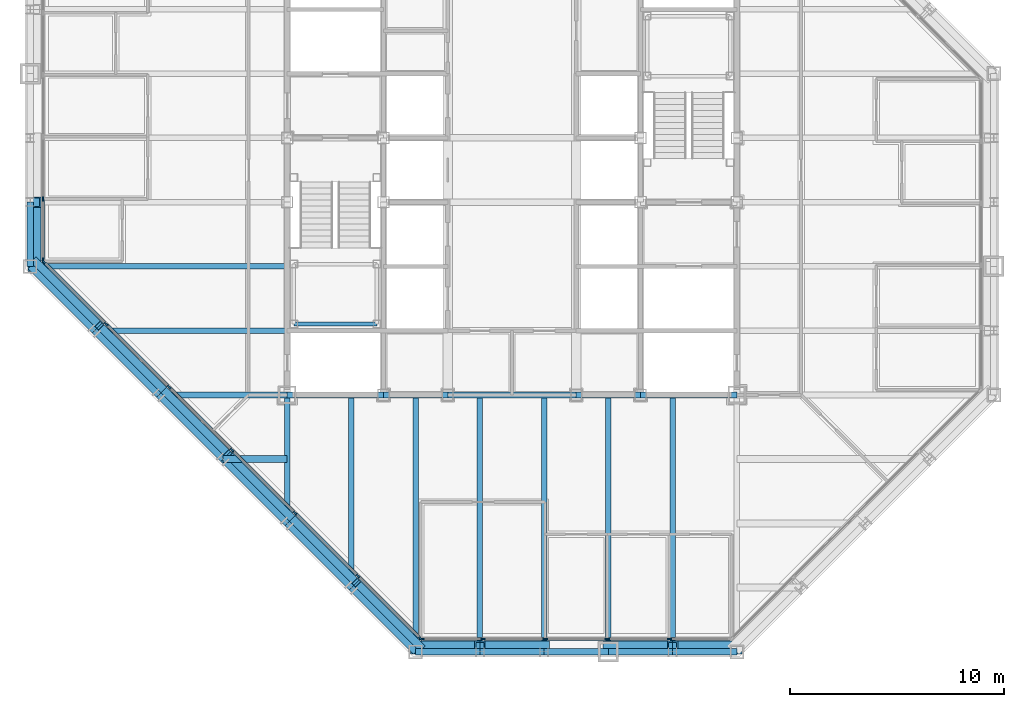
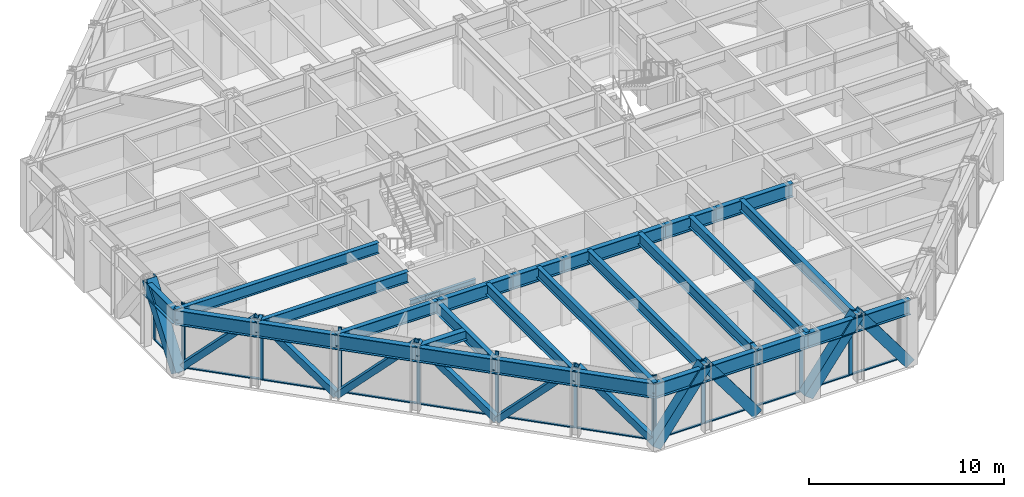
# One storey, part 5 of 16: 37 members, 29 beams, 3 elements without a shape of their own.
"""IFC4 building model written with IfcOpenShell, lengths in metres."""

from ifc_helpers import new_model, si_unit, direction, frame, origin, origin_2d, place, context, subcontext, project, spatial, rectangle, hollow_rectangle, i_section, extrude, material, layer, layer_set, material_profile, profile_set, type_object, element, aggregate, save


model = new_model("IFC4")

# Units and contexts
model_context = context("Model", 3, precision=1e-05, world=origin(), true_north=direction((0.0, 1.0)))
body_context = subcontext(model_context, "Body", "Model", "MODEL_VIEW")
ifc_project = project(units=[si_unit("LENGTHUNIT", "METRE"), si_unit("AREAUNIT", "SQUARE_METRE"), si_unit("VOLUMEUNIT", "CUBIC_METRE"), si_unit("PLANEANGLEUNIT", "RADIAN"), si_unit("MASSUNIT", "GRAM", prefix="KILO")], contexts=[model_context])

# Site, building, storey
site_placement = place(None, origin())
site = spatial("IfcSite", under=ifc_project, at=site_placement, CompositionType="ELEMENT")
building_placement = place(site_placement, origin())
building = spatial("IfcBuilding", under=site, at=building_placement, Name="Chuquiago Exchange Tower", CompositionType="ELEMENT")
storey_placement = place(building_placement, frame((0.0, 0.0, 226.5)))
storey = spatial("IfcBuildingStorey", under=building, at=storey_placement, Name="L50", CompositionType="ELEMENT", Elevation=226.5)

# Beams
ifc_material_1 = material(Name="Steel ASTM A992", Category="steel")
ifc_material_profile_1 = material_profile(ifc_material_1, i_section(OverallWidth=0.25390625, OverallDepth=0.683349609375, WebThickness=0.012451171875, FlangeThickness=0.018798828125, at=origin_2d()), Name="W27X94")
ifc_profile_set_1 = profile_set([ifc_material_profile_1], Name="Steel ASTM A992")
beam_type_1 = type_object("IfcBeamType", Name="B1 W27X94", PredefinedType="BEAM", material=ifc_profile_set_1)
beam_1_placement = place(storey_placement, frame((15.0, 12.0, 3.698486328125), z_axis=(0.0, -1.0, 0.0), x_axis=(1.0, 0.0, 0.0)))
element("IfcBeam", 1, at=beam_1_placement, inside=storey, type_object=beam_type_1, Name="FB-L51-infill-15_12-15_3-0", PredefinedType="BEAM", context=body_context, shape_type="SweptSolid", body=[
    extrude(i_section(OverallWidth=0.25390625, OverallDepth=0.683349609375, WebThickness=0.012451171875, FlangeThickness=0.018798828125, at=origin_2d()), origin(), (0.0, 0.0, 1.0), 9.0),
])
for number, where, z_axis, x_axis, name in (
    (2, (18.0, 12.0, 3.698486328125), (0.0, -1.0, 0.0), (1.0, 0.0, 0.0), "FB-L51-infill-18_12-18_-0-0"),
    (3, (21.0, 12.0, 3.698486328125), (0.0, -1.0, 0.0), (1.0, 0.0, 0.0), "FB-L51-infill-21_12-21_-0-0"),
    (4, (24.0, 12.0, 3.698486328125), (0.0, -1.0, 0.0), (1.0, 0.0, 0.0), "FB-L51-infill-24_12-24_-0-0"),
    (5, (27.0, 12.0, 3.698486328125), (0.0, -1.0, 0.0), (1.0, 0.0, 0.0), "FB-L51-infill-27_12-27_-0-0"),
    (6, (30.0, 12.0, 3.698486328125), (0.0, -1.0, 0.0), (1.0, 0.0, 0.0), "FB-L51-infill-30_12-30_-0-0"),
):
    element("IfcBeam", number, at=place(storey_placement, frame(where, z_axis=z_axis, x_axis=x_axis)), inside=storey, type_object=beam_type_1, Name=name, PredefinedType="BEAM", context=body_context, shape_type="SweptSolid", body=[
        extrude(i_section(OverallWidth=0.25390625, OverallDepth=0.683349609375, WebThickness=0.012451171875, FlangeThickness=0.018798828125, at=origin_2d()), origin(), (0.0, 0.0, 1.0), 12.0),
    ])
beam_2_placement = place(storey_placement, frame((12.0, 15.0, 3.698486328125), z_axis=(-1.0, 0.0, 0.0), x_axis=(0.0, -1.0, 0.0)))
element("IfcBeam", 7, at=beam_2_placement, inside=storey, type_object=beam_type_1, Name="FB-L51-infill-12_15-3_15-0", PredefinedType="BEAM", context=body_context, shape_type="SweptSolid", body=[
    extrude(i_section(OverallWidth=0.25390625, OverallDepth=0.683349609375, WebThickness=0.012451171875, FlangeThickness=0.018798828125, at=origin_2d()), origin(), (0.0, 0.0, 1.0), 9.0),
])
beam_3_placement = place(storey_placement, frame((12.0, 18.0, 3.698486328125), z_axis=(-1.0, 0.0, 0.0), x_axis=(0.0, -1.0, 0.0)))
element("IfcBeam", 8, at=beam_3_placement, inside=storey, type_object=beam_type_1, Name="FB-L51-infill-12_18--0_18-0", PredefinedType="BEAM", context=body_context, shape_type="SweptSolid", body=[
    extrude(i_section(OverallWidth=0.25390625, OverallDepth=0.683349609375, WebThickness=0.012451171875, FlangeThickness=0.018798828125, at=origin_2d()), origin(), (0.0, 0.0, 1.0), 12.0),
])
ifc_material_2 = material(Name="Steel ASTM A992", Category="steel")
ifc_material_profile_2 = material_profile(ifc_material_2, i_section(OverallWidth=0.3251953125, OverallDepth=0.612060546875, WebThickness=0.0126953125, FlangeThickness=0.01904296875, at=origin_2d()), Name="W24X104")
ifc_profile_set_2 = profile_set([ifc_material_profile_2], Name="Steel ASTM A992")
beam_type_2 = type_object("IfcBeamType", Name="B2 W24X104", PredefinedType="BEAM", material=ifc_profile_set_2)
beam_4_placement = place(storey_placement, frame((12.0, 9.0, 3.73388671875), z_axis=(-1.0, 0.0, 0.0), x_axis=(0.0, -1.0, 0.0)))
element("IfcBeam", 9, at=beam_4_placement, inside=storey, type_object=beam_type_2, Name="FB-L51-corner-12_9-9_9-0", PredefinedType="BEAM", context=body_context, shape_type="SweptSolid", body=[
    extrude(i_section(OverallWidth=0.3251953125, OverallDepth=0.612060546875, WebThickness=0.0126953125, FlangeThickness=0.01904296875, at=origin_2d()), origin(), (0.0, 0.0, 1.0), 3.0),
])
ifc_material_3 = material(Name="Steel ASTM A992", Category="steel")
ifc_material_profile_3 = material_profile(ifc_material_3, i_section(OverallWidth=0.2919921875, OverallDepth=0.8583984375, WebThickness=0.01708984375, FlangeThickness=0.031005859375, at=origin_2d()), Name="W33X169")
ifc_profile_set_3 = profile_set([ifc_material_profile_3], Name="Steel ASTM A992")
beam_type_3 = type_object("IfcBeamType", Name="B3 W33X169", PredefinedType="BEAM", material=ifc_profile_set_3)
beam_5_placement = place(storey_placement, frame((12.0, 12.0, 3.610595703125), z_axis=(1.0, 0.0, 0.0), x_axis=(0.0, 1.0, 0.0)))
element("IfcBeam", 10, at=beam_5_placement, inside=storey, type_object=beam_type_3, Name="CB-L51-12_12-16.5_12", PredefinedType="BEAM", context=body_context, shape_type="SweptSolid", body=[
    extrude(i_section(OverallWidth=0.2919921875, OverallDepth=0.8583984375, WebThickness=0.01708984375, FlangeThickness=0.031005859375, at=origin_2d()), origin(), (0.0, 0.0, 1.0), 4.5),
])
beam_6_placement = place(storey_placement, frame((16.5, 12.0, 3.610595703125), z_axis=(1.0, 0.0, 0.0), x_axis=(0.0, 1.0, 0.0)))
element("IfcBeam", 11, at=beam_6_placement, inside=storey, type_object=beam_type_3, Name="CB-L51-16.5_12-19.5_12", PredefinedType="BEAM", context=body_context, shape_type="SweptSolid", body=[
    extrude(i_section(OverallWidth=0.2919921875, OverallDepth=0.8583984375, WebThickness=0.01708984375, FlangeThickness=0.031005859375, at=origin_2d()), origin(), (0.0, 0.0, 1.0), 3.0),
])
beam_7_placement = place(storey_placement, frame((19.5, 12.0, 3.610595703125), z_axis=(1.0, 0.0, 0.0), x_axis=(0.0, 1.0, 0.0)))
element("IfcBeam", 12, at=beam_7_placement, inside=storey, type_object=beam_type_3, Name="CB-L51-19.5_12-25.5_12", PredefinedType="BEAM", context=body_context, shape_type="SweptSolid", body=[
    extrude(i_section(OverallWidth=0.2919921875, OverallDepth=0.8583984375, WebThickness=0.01708984375, FlangeThickness=0.031005859375, at=origin_2d()), origin(), (0.0, 0.0, 1.0), 6.0),
])
beam_8_placement = place(storey_placement, frame((25.5, 12.0, 3.610595703125), z_axis=(1.0, 0.0, 0.0), x_axis=(0.0, 1.0, 0.0)))
element("IfcBeam", 13, at=beam_8_placement, inside=storey, type_object=beam_type_3, Name="CB-L51-25.5_12-28.5_12", PredefinedType="BEAM", context=body_context, shape_type="SweptSolid", body=[
    extrude(i_section(OverallWidth=0.2919921875, OverallDepth=0.8583984375, WebThickness=0.01708984375, FlangeThickness=0.031005859375, at=origin_2d()), origin(), (0.0, 0.0, 1.0), 3.0),
])
beam_9_placement = place(storey_placement, frame((28.5, 12.0, 3.610595703125), z_axis=(1.0, 0.0, 0.0), x_axis=(0.0, 1.0, 0.0)))
element("IfcBeam", 14, at=beam_9_placement, inside=storey, type_object=beam_type_3, Name="CB-L51-28.5_12-33_12", PredefinedType="BEAM", context=body_context, shape_type="SweptSolid", body=[
    extrude(i_section(OverallWidth=0.2919921875, OverallDepth=0.8583984375, WebThickness=0.01708984375, FlangeThickness=0.031005859375, at=origin_2d()), origin(), (0.0, 0.0, 1.0), 4.5),
])

# Curtain wall, members
ifc_material_4 = material(Name="Aluminium curtain wall system", Category="aluminium")
ifc_layer_1 = layer(ifc_material_4, 0.22509765625)
ifc_layer_set_1 = layer_set([ifc_layer_1], Name="CW2 office curtain wall")
curtain_wall_type_1 = type_object("IfcCurtainWallType", Name="CW2 office curtain wall", PredefinedType="NOTDEFINED", material=ifc_layer_set_1)
curtain_wall_1_placement = place(storey_placement, origin())
curtain_wall_1 = element("IfcCurtainWall", 15, at=curtain_wall_1_placement, inside=storey, type_object=curtain_wall_type_1, Name="CW2 curtain wall L50", PredefinedType="NOTDEFINED")
ifc_material_5 = material(Name="Aluminium mullion, pale anodised", Category="aluminium")
ifc_material_profile_4 = material_profile(ifc_material_5, rectangle(XDim=0.06494140625, YDim=0.22509765625, at=origin_2d()), Name="AL 65x225")
ifc_profile_set_4 = profile_set([ifc_material_profile_4], Name="Aluminium mullion, pale anodised")
member_type_1 = type_object("IfcMemberType", Name="CW2-M mullion 65x225", PredefinedType="MULLION", material=ifc_profile_set_4)
member_1_placement = place(storey_placement, frame((18.281005859375, 0.60009765625, 0.0), z_axis=(0.0, 0.0, 1.0), x_axis=(0.0, 1.0, 0.0)))
member_1 = element("IfcMember", 16, at=member_1_placement, type_object=member_type_1, Name="CW2 mullion 1", PredefinedType="MULLION", context=body_context, shape_type="SweptSolid", body=[
    extrude(rectangle(XDim=0.06494140625, YDim=0.22509765625, at=origin_2d()), origin(), (0.0, 0.0, 1.0), 4.0400390625),
])
member_2_placement = place(storey_placement, frame((21.149169921875, 0.60009765625, 0.0), z_axis=(0.0, 0.0, 1.0), x_axis=(0.0, 1.0, 0.0)))
member_2 = element("IfcMember", 17, at=member_2_placement, type_object=member_type_1, Name="CW2 mullion 2", PredefinedType="MULLION", context=body_context, shape_type="SweptSolid", body=[
    extrude(rectangle(XDim=0.06494140625, YDim=0.22509765625, at=origin_2d()), origin(), (0.0, 0.0, 1.0), 4.0400390625),
])
member_3_placement = place(storey_placement, frame((24.0498046875, 0.60009765625, 0.0), z_axis=(0.0, 0.0, 1.0), x_axis=(0.0, 1.0, 0.0)))
member_3 = element("IfcMember", 18, at=member_3_placement, type_object=member_type_1, Name="CW2 mullion 3", PredefinedType="MULLION", context=body_context, shape_type="SweptSolid", body=[
    extrude(rectangle(XDim=0.06494140625, YDim=0.22509765625, at=origin_2d()), origin(), (0.0, 0.0, 1.0), 4.0400390625),
])
member_4_placement = place(storey_placement, frame((26.9501953125, 0.60009765625, 0.0), z_axis=(0.0, 0.0, 1.0), x_axis=(0.0, 1.0, 0.0)))
member_4 = element("IfcMember", 19, at=member_4_placement, type_object=member_type_1, Name="CW2 mullion 4", PredefinedType="MULLION", context=body_context, shape_type="SweptSolid", body=[
    extrude(rectangle(XDim=0.06494140625, YDim=0.22509765625, at=origin_2d()), origin(), (0.0, 0.0, 1.0), 4.0400390625),
])
member_5_placement = place(storey_placement, frame((29.850830078125, 0.60009765625, 0.0), z_axis=(0.0, 0.0, 1.0), x_axis=(0.0, 1.0, 0.0)))
member_5 = element("IfcMember", 20, at=member_5_placement, type_object=member_type_1, Name="CW2 mullion 5", PredefinedType="MULLION", context=body_context, shape_type="SweptSolid", body=[
    extrude(rectangle(XDim=0.06494140625, YDim=0.22509765625, at=origin_2d()), origin(), (0.0, 0.0, 1.0), 4.0400390625),
])

curtain_wall_2_placement = place(storey_placement, origin())
curtain_wall_2 = element("IfcCurtainWall", 21, at=curtain_wall_2_placement, inside=storey, type_object=curtain_wall_type_1, Name="CW2 curtain wall L50", PredefinedType="NOTDEFINED")
member_6_placement = place(storey_placement, frame((0.60009765625, 21.149169921875, 0.0), z_axis=(0.0, 0.0, 1.0), x_axis=(1.0, 0.0, 0.0)))
member_6 = element("IfcMember", 22, at=member_6_placement, type_object=member_type_1, Name="CW2 mullion 5", PredefinedType="MULLION", context=body_context, shape_type="SweptSolid", body=[
    extrude(rectangle(XDim=0.06494140625, YDim=0.22509765625, at=origin_2d()), origin(), (0.0, 0.0, 1.0), 4.0400390625),
])
member_7_placement = place(storey_placement, frame((0.60009765625, 18.281005859375, 0.0), z_axis=(0.0, 0.0, 1.0), x_axis=(1.0, 0.0, 0.0)))
member_7 = element("IfcMember", 23, at=member_7_placement, type_object=member_type_1, Name="CW2 mullion 6", PredefinedType="MULLION", context=body_context, shape_type="SweptSolid", body=[
    extrude(rectangle(XDim=0.06494140625, YDim=0.22509765625, at=origin_2d()), origin(), (0.0, 0.0, 1.0), 4.0400390625),
])

# Member
ifc_material_6 = material(Name="Aluminium transom, pale anodised", Category="aluminium")
ifc_material_profile_5 = material_profile(ifc_material_6, rectangle(XDim=0.139892578125, YDim=0.06494140625, at=origin_2d()), Name="AL 140x65")
ifc_profile_set_5 = profile_set([ifc_material_profile_5], Name="Aluminium transom, pale anodised")
member_type_2 = type_object("IfcMemberType", Name="CW2-T transom 65x140", PredefinedType="MULLION", material=ifc_profile_set_5)
member_8_placement = place(storey_placement, frame((18.3134765625, 0.60009765625, 0.032470703125), z_axis=(1.0, 0.0, 0.0), x_axis=(0.0, 1.0, 0.0)))
member_8 = element("IfcMember", 24, at=member_8_placement, type_object=member_type_2, Name="CW2 transom 1.1", PredefinedType="MULLION", context=body_context, shape_type="SweptSolid", body=[
    extrude(rectangle(XDim=0.139892578125, YDim=0.06494140625, at=origin_2d()), origin(), (0.0, 0.0, 1.0), 2.80322265625),
])

member_9_placement = place(storey_placement, frame((21.181640625, 0.60009765625, 0.032470703125), z_axis=(1.0, 0.0, 0.0), x_axis=(0.0, 1.0, 0.0)))
member_9 = element("IfcMember", 25, at=member_9_placement, type_object=member_type_2, Name="CW2 transom 2.1", PredefinedType="MULLION", context=body_context, shape_type="SweptSolid", body=[
    extrude(rectangle(XDim=0.139892578125, YDim=0.06494140625, at=origin_2d()), origin(), (0.0, 0.0, 1.0), 2.83544921875),
])

member_10_placement = place(storey_placement, frame((24.082275390625, 0.60009765625, 0.032470703125), z_axis=(1.0, 0.0, 0.0), x_axis=(0.0, 1.0, 0.0)))
member_10 = element("IfcMember", 26, at=member_10_placement, type_object=member_type_2, Name="CW2 transom 3.1", PredefinedType="MULLION", context=body_context, shape_type="SweptSolid", body=[
    extrude(rectangle(XDim=0.139892578125, YDim=0.06494140625, at=origin_2d()), origin(), (0.0, 0.0, 1.0), 2.83544921875),
])

member_11_placement = place(storey_placement, frame((26.98291015625, 0.60009765625, 0.032470703125), z_axis=(1.0, 0.0, 0.0), x_axis=(0.0, 1.0, 0.0)))
member_11 = element("IfcMember", 27, at=member_11_placement, type_object=member_type_2, Name="CW2 transom 4.1", PredefinedType="MULLION", context=body_context, shape_type="SweptSolid", body=[
    extrude(rectangle(XDim=0.139892578125, YDim=0.06494140625, at=origin_2d()), origin(), (0.0, 0.0, 1.0), 2.83544921875),
])

member_12_placement = place(storey_placement, frame((29.88330078125, 0.60009765625, 0.032470703125), z_axis=(1.0, 0.0, 0.0), x_axis=(0.0, 1.0, 0.0)))
member_12 = element("IfcMember", 28, at=member_12_placement, type_object=member_type_2, Name="CW2 transom 5.1", PredefinedType="MULLION", context=body_context, shape_type="SweptSolid", body=[
    extrude(rectangle(XDim=0.139892578125, YDim=0.06494140625, at=origin_2d()), origin(), (0.0, 0.0, 1.0), 2.80322265625),
])

aggregate(curtain_wall_1, [member_1, member_2, member_3, member_4, member_5, member_8, member_9, member_10, member_11, member_12])

member_13_placement = place(storey_placement, frame((0.60009765625, 21.11669921875, 0.032470703125), z_axis=(0.0, -1.0, 0.0), x_axis=(1.0, 0.0, 0.0)))
member_13 = element("IfcMember", 29, at=member_13_placement, type_object=member_type_2, Name="CW2 transom 5.1", PredefinedType="MULLION", context=body_context, shape_type="SweptSolid", body=[
    extrude(rectangle(XDim=0.139892578125, YDim=0.06494140625, at=origin_2d()), origin(), (0.0, 0.0, 1.0), 2.80322265625),
])

aggregate(curtain_wall_2, [member_6, member_7, member_13])

# Curtain wall, members
ifc_material_7 = material(Name="Aluminium curtain wall system", Category="aluminium")
ifc_layer_2 = layer(ifc_material_7, 0.199951171875)
ifc_layer_set_2 = layer_set([ifc_layer_2], Name="CW3 facet curtain wall")
curtain_wall_type_2 = type_object("IfcCurtainWallType", Name="CW3 facet curtain wall", PredefinedType="NOTDEFINED", material=ifc_layer_set_2)
curtain_wall_3_placement = place(storey_placement, origin())
curtain_wall_3 = element("IfcCurtainWall", 30, at=curtain_wall_3_placement, inside=storey, type_object=curtain_wall_type_2, Name="CW3 curtain wall L50", PredefinedType="NOTDEFINED")
ifc_material_8 = material(Name="Aluminium mullion, pale anodised", Category="aluminium")
ifc_material_profile_6 = material_profile(ifc_material_8, rectangle(XDim=0.06494140625, YDim=0.199951171875, at=origin_2d()), Name="AL 65x200")
ifc_profile_set_6 = profile_set([ifc_material_profile_6], Name="Aluminium mullion, pale anodised")
member_type_3 = type_object("IfcMemberType", Name="CW3-M mullion 65x200", PredefinedType="MULLION", material=ifc_profile_set_6)
member_14_placement = place(storey_placement, frame((0.623046875, 18.2255859375, 0.0), z_axis=(0.0, 0.0, 1.0), x_axis=(0.707106781187, 0.707106781187, 0.0)))
member_14 = element("IfcMember", 31, at=member_14_placement, type_object=member_type_3, Name="CW3 mullion 1", PredefinedType="MULLION", context=body_context, shape_type="SweptSolid", body=[
    extrude(rectangle(XDim=0.06494140625, YDim=0.199951171875, at=origin_2d()), origin(), (0.0, 0.0, 1.0), 4.0400390625),
])
member_15_placement = place(storey_placement, frame((3.54150390625, 15.30712890625, 0.0), z_axis=(0.0, 0.0, 1.0), x_axis=(0.707106781187, 0.707106781187, 0.0)))
member_15 = element("IfcMember", 32, at=member_15_placement, type_object=member_type_3, Name="CW3 mullion 2", PredefinedType="MULLION", context=body_context, shape_type="SweptSolid", body=[
    extrude(rectangle(XDim=0.06494140625, YDim=0.199951171875, at=origin_2d()), origin(), (0.0, 0.0, 1.0), 4.0400390625),
])
member_16_placement = place(storey_placement, frame((6.48291015625, 12.36572265625, 0.0), z_axis=(0.0, 0.0, 1.0), x_axis=(0.707106781187, 0.707106781187, 0.0)))
member_16 = element("IfcMember", 33, at=member_16_placement, type_object=member_type_3, Name="CW3 mullion 3", PredefinedType="MULLION", context=body_context, shape_type="SweptSolid", body=[
    extrude(rectangle(XDim=0.06494140625, YDim=0.199951171875, at=origin_2d()), origin(), (0.0, 0.0, 1.0), 4.0400390625),
])
member_17_placement = place(storey_placement, frame((9.42431640625, 9.42431640625, 0.0), z_axis=(0.0, 0.0, 1.0), x_axis=(0.707106781187, 0.707106781187, 0.0)))
member_17 = element("IfcMember", 34, at=member_17_placement, type_object=member_type_3, Name="CW3 mullion 4", PredefinedType="MULLION", context=body_context, shape_type="SweptSolid", body=[
    extrude(rectangle(XDim=0.06494140625, YDim=0.199951171875, at=origin_2d()), origin(), (0.0, 0.0, 1.0), 4.0400390625),
])
member_18_placement = place(storey_placement, frame((12.36572265625, 6.48291015625, 0.0), z_axis=(0.0, 0.0, 1.0), x_axis=(0.707106781187, 0.707106781187, 0.0)))
member_18 = element("IfcMember", 35, at=member_18_placement, type_object=member_type_3, Name="CW3 mullion 5", PredefinedType="MULLION", context=body_context, shape_type="SweptSolid", body=[
    extrude(rectangle(XDim=0.06494140625, YDim=0.199951171875, at=origin_2d()), origin(), (0.0, 0.0, 1.0), 4.0400390625),
])
member_19_placement = place(storey_placement, frame((15.30712890625, 3.54150390625, 0.0), z_axis=(0.0, 0.0, 1.0), x_axis=(0.707106781187, 0.707106781187, 0.0)))
member_19 = element("IfcMember", 36, at=member_19_placement, type_object=member_type_3, Name="CW3 mullion 6", PredefinedType="MULLION", context=body_context, shape_type="SweptSolid", body=[
    extrude(rectangle(XDim=0.06494140625, YDim=0.199951171875, at=origin_2d()), origin(), (0.0, 0.0, 1.0), 4.0400390625),
])
member_20_placement = place(storey_placement, frame((18.2255859375, 0.623046875, 0.0), z_axis=(0.0, 0.0, 1.0), x_axis=(0.707106781187, 0.707106781187, 0.0)))
member_20 = element("IfcMember", 37, at=member_20_placement, type_object=member_type_3, Name="CW3 mullion 7", PredefinedType="MULLION", context=body_context, shape_type="SweptSolid", body=[
    extrude(rectangle(XDim=0.06494140625, YDim=0.199951171875, at=origin_2d()), origin(), (0.0, 0.0, 1.0), 4.0400390625),
])
ifc_material_9 = material(Name="Aluminium transom, pale anodised", Category="aluminium")
ifc_material_profile_7 = material_profile(ifc_material_9, rectangle(XDim=0.139892578125, YDim=0.06494140625, at=origin_2d()), Name="AL 140x65")
ifc_profile_set_7 = profile_set([ifc_material_profile_7], Name="Aluminium transom, pale anodised")
member_type_4 = type_object("IfcMemberType", Name="CW3-T transom 65x140", PredefinedType="MULLION", material=ifc_profile_set_7)
member_21_placement = place(storey_placement, frame((0.64599609375, 18.20263671875, 0.032470703125), z_axis=(0.707106781187, -0.707106781187, 0.0), x_axis=(0.707106781187, 0.707106781187, 0.0)))
member_21 = element("IfcMember", 38, at=member_21_placement, type_object=member_type_4, Name="CW3 transom 1.1", PredefinedType="MULLION", context=body_context, shape_type="SweptSolid", body=[
    extrude(rectangle(XDim=0.139892578125, YDim=0.06494140625, at=origin_2d()), origin(), (0.0, 0.0, 1.0), 4.0625),
])
member_22_placement = place(storey_placement, frame((3.564453125, 15.2841796875, 0.032470703125), z_axis=(0.707106781187, -0.707106781187, 0.0), x_axis=(0.707106781187, 0.707106781187, 0.0)))
member_22 = element("IfcMember", 39, at=member_22_placement, type_object=member_type_4, Name="CW3 transom 2.1", PredefinedType="MULLION", context=body_context, shape_type="SweptSolid", body=[
    extrude(rectangle(XDim=0.139892578125, YDim=0.06494140625, at=origin_2d()), origin(), (0.0, 0.0, 1.0), 4.094970703125),
])
member_23_placement = place(storey_placement, frame((6.505859375, 12.3427734375, 0.032470703125), z_axis=(0.707106781187, -0.707106781187, 0.0), x_axis=(0.707106781187, 0.707106781187, 0.0)))
member_23 = element("IfcMember", 40, at=member_23_placement, type_object=member_type_4, Name="CW3 transom 3.1", PredefinedType="MULLION", context=body_context, shape_type="SweptSolid", body=[
    extrude(rectangle(XDim=0.139892578125, YDim=0.06494140625, at=origin_2d()), origin(), (0.0, 0.0, 1.0), 4.094970703125),
])
member_24_placement = place(storey_placement, frame((9.447265625, 9.4013671875, 0.032470703125), z_axis=(0.707106781187, -0.707106781187, 0.0), x_axis=(0.707106781187, 0.707106781187, 0.0)))
member_24 = element("IfcMember", 41, at=member_24_placement, type_object=member_type_4, Name="CW3 transom 4.1", PredefinedType="MULLION", context=body_context, shape_type="SweptSolid", body=[
    extrude(rectangle(XDim=0.139892578125, YDim=0.06494140625, at=origin_2d()), origin(), (0.0, 0.0, 1.0), 4.094970703125),
])
member_25_placement = place(storey_placement, frame((12.388671875, 6.4599609375, 0.032470703125), z_axis=(0.707106781187, -0.707106781187, 0.0), x_axis=(0.707106781187, 0.707106781187, 0.0)))
member_25 = element("IfcMember", 42, at=member_25_placement, type_object=member_type_4, Name="CW3 transom 5.1", PredefinedType="MULLION", context=body_context, shape_type="SweptSolid", body=[
    extrude(rectangle(XDim=0.139892578125, YDim=0.06494140625, at=origin_2d()), origin(), (0.0, 0.0, 1.0), 4.094970703125),
])
member_26_placement = place(storey_placement, frame((15.330078125, 3.5185546875, 0.032470703125), z_axis=(0.707106781187, -0.707106781187, 0.0), x_axis=(0.707106781187, 0.707106781187, 0.0)))
member_26 = element("IfcMember", 43, at=member_26_placement, type_object=member_type_4, Name="CW3 transom 6.1", PredefinedType="MULLION", context=body_context, shape_type="SweptSolid", body=[
    extrude(rectangle(XDim=0.139892578125, YDim=0.06494140625, at=origin_2d()), origin(), (0.0, 0.0, 1.0), 4.0625),
])
aggregate(curtain_wall_3, [member_14, member_15, member_16, member_17, member_18, member_19, member_20, member_21, member_22, member_23, member_24, member_25, member_26])

# Beams
ifc_material_10 = material(Name="Steel ASTM A992", Category="steel")
ifc_material_profile_8 = material_profile(ifc_material_10, i_section(OverallWidth=0.2666015625, OverallDepth=0.76953125, WebThickness=0.015625, FlangeThickness=0.025390625, at=origin_2d()), Name="W30X132")
ifc_profile_set_8 = profile_set([ifc_material_profile_8], Name="Steel ASTM A992")
beam_type_4 = type_object("IfcBeamType", Name="G1 W30X132", PredefinedType="BEAM", material=ifc_profile_set_8)
for number, where, z_axis, x_axis, name in (
    (44, (12.0, 12.0, 3.6552734375), (0.0, -1.0, 0.0), (1.0, 0.0, 0.0), "FB-L51-girder-12_12-12_6-0"),
    (45, (12.0, 12.0, 3.6552734375), (-1.0, 0.0, 0.0), (0.0, -1.0, 0.0), "FB-L51-girder-12_12-6_12-0"),
):
    element("IfcBeam", number, at=place(storey_placement, frame(where, z_axis=z_axis, x_axis=x_axis)), inside=storey, type_object=beam_type_4, Name=name, PredefinedType="BEAM", context=body_context, shape_type="SweptSolid", body=[
        extrude(i_section(OverallWidth=0.2666015625, OverallDepth=0.76953125, WebThickness=0.015625, FlangeThickness=0.025390625, at=origin_2d()), origin(), (0.0, 0.0, 1.0), 6.0),
    ])

# Members
ifc_material_11 = material(Name="Steel ASTM A500 Grade C", Category="steel")
ifc_material_profile_9 = material_profile(ifc_material_11, hollow_rectangle(XDim=0.355712890625, YDim=0.355712890625, WallThickness=0.0146484375, at=origin_2d()), Name="HSS14X14X5/8")
ifc_profile_set_9 = profile_set([ifc_material_profile_9], Name="Steel ASTM A500 Grade C")
member_type_5 = type_object("IfcMemberType", Name="LB2 HSS14X14X5/8", PredefinedType="BRACE", material=ifc_profile_set_9)
for number, where, z_axis, x_axis, name in (
    (46, (0.2314453125, 18.2314453125, 0.0), (0.512077265487, -0.512077265487, 0.689604051861), (0.707106781187, 0.707106781187, 0.0), "LB-L50-0_18-3_15"),
    (47, (6.2314453125, 12.2314453125, 0.0), (-0.512077265487, 0.512077265487, 0.689604051861), (-0.707106781187, -0.707106781187, 0.0), "LB-L50-3_15-6_12"),
    (48, (6.2314453125, 12.2314453125, 0.0), (0.512077265487, -0.512077265487, 0.689604051861), (0.707106781187, 0.707106781187, 0.0), "LB-L50-6_12-9_9"),
    (49, (12.2314453125, 6.2314453125, 0.0), (-0.512077265487, 0.512077265487, 0.689604051861), (-0.707106781187, -0.707106781187, 0.0), "LB-L50-9_9-12_6"),
    (50, (12.2314453125, 6.2314453125, 0.0), (0.512077265487, -0.512077265487, 0.689604051861), (0.707106781187, 0.707106781187, 0.0), "LB-L50-12_6-15_3"),
    (51, (18.2314453125, 0.2314453125, 0.0), (-0.512077265487, 0.512077265487, 0.689604051861), (-0.707106781187, -0.707106781187, 0.0), "LB-L50-15_3-18_0"),
):
    element("IfcMember", number, at=place(storey_placement, frame(where, z_axis=z_axis, x_axis=x_axis)), inside=storey, type_object=member_type_5, Name=name, PredefinedType="BRACE", context=body_context, shape_type="SweptSolid", body=[
        extrude(hollow_rectangle(XDim=0.355712890625, YDim=0.355712890625, WallThickness=0.0146484375, at=origin_2d()), origin(), (0.0, 0.0, 1.0), 5.8583984375),
    ])

# Beam
ifc_material_12 = material(Name="Steel ASTM A992", Category="steel")
ifc_material_profile_10 = material_profile(ifc_material_12, i_section(OverallWidth=0.164794921875, OverallDepth=0.309814453125, WebThickness=0.005859375, FlangeThickness=0.009765625, at=origin_2d()), Name="W12X26")
ifc_profile_set_10 = profile_set([ifc_material_profile_10], Name="Steel ASTM A992")
beam_type_5 = type_object("IfcBeamType", Name="LT1 W12X26", PredefinedType="BEAM", material=ifc_profile_set_10)
beam_10_placement = place(storey_placement, frame((12.31005859375, 15.31005859375, 1.7451171875), z_axis=(1.0, 0.0, 0.0), x_axis=(0.0, 1.0, 0.0)))
element("IfcBeam", 52, at=beam_10_placement, inside=storey, type_object=beam_type_5, Name="Stair ST1 L50 landing 1 trimmer", PredefinedType="BEAM", context=body_context, shape_type="SweptSolid", body=[
    extrude(i_section(OverallWidth=0.164794921875, OverallDepth=0.309814453125, WebThickness=0.005859375, FlangeThickness=0.009765625, at=origin_2d()), origin(), (0.0, 0.0, 1.0), 3.8798828125),
])

# Members
ifc_material_13 = material(Name="Steel ASTM A572 Grade 50", Category="steel")
ifc_material_profile_11 = material_profile(ifc_material_13, hollow_rectangle(XDim=0.60009765625, YDim=0.60009765625, WallThickness=0.06005859375, at=origin_2d()), Name="BOX600X600X60")
ifc_profile_set_11 = profile_set([ifc_material_profile_11], Name="Steel ASTM A572 Grade 50")
member_type_6 = type_object("IfcMemberType", Name="MB3 BOX600X600X60", PredefinedType="BRACE", material=ifc_profile_set_11)
for number, where, z_axis, x_axis, name in (
    (53, (18.0, 0.205078125, 0.0), (0.596173923302, 0.0, 0.802855312728), (0.0, 1.0, 0.0), "Mega diagonal L50 S face"),
    (54, (24.0, 0.205078125, 0.0), (-0.596173923302, 0.0, 0.802855312728), (0.0, -1.0, 0.0), "Mega diagonal L50 S face"),
    (55, (27.0, 0.205078125, 0.0), (0.596173923302, 0.0, 0.802855312728), (0.0, 1.0, 0.0), "Mega diagonal L50 S face"),
    (56, (33.0, 0.205078125, 0.0), (-0.596173923302, 0.0, 0.802855312728), (0.0, -1.0, 0.0), "Mega diagonal L50 S face"),
    (57, (0.205078125, 18.0, 0.0), (0.0, 0.596173923302, 0.802855312728), (-1.0, 0.0, 0.0), "Mega diagonal L50 W face"),
):
    element("IfcMember", number, at=place(storey_placement, frame(where, z_axis=z_axis, x_axis=x_axis)), inside=storey, type_object=member_type_6, Name=name, PredefinedType="BRACE", context=body_context, shape_type="SweptSolid", body=[
        extrude(hollow_rectangle(XDim=0.60009765625, YDim=0.60009765625, WallThickness=0.06005859375, at=origin_2d()), origin(), (0.0, 0.0, 1.0), 5.031982421875),
    ])

# Beams
ifc_material_14 = material(Name="Steel ASTM A992", Category="steel")
ifc_material_profile_12 = material_profile(ifc_material_14, i_section(OverallWidth=0.307373046875, OverallDepth=0.927001953125, WebThickness=0.01953125, FlangeThickness=0.031982421875, at=origin_2d()), Name="W36X194")
ifc_profile_set_12 = profile_set([ifc_material_profile_12], Name="Steel ASTM A992")
beam_type_6 = type_object("IfcBeamType", Name="SP3 W36X194", PredefinedType="SPANDREL", material=ifc_profile_set_12)
for number, where, z_axis, x_axis, name in (
    (58, (18.0, 0.0, 3.576416015625), (1.0, 0.0, 0.0), (0.0, 1.0, 0.0), "SPB-L51-18_0-21_0"),
    (59, (21.0, 0.0, 3.576416015625), (1.0, 0.0, 0.0), (0.0, 1.0, 0.0), "SPB-L51-21_0-24_0"),
    (60, (24.0, 0.0, 3.576416015625), (1.0, 0.0, 0.0), (0.0, 1.0, 0.0), "SPB-L51-24_0-27_0"),
    (61, (27.0, 0.0, 3.576416015625), (1.0, 0.0, 0.0), (0.0, 1.0, 0.0), "SPB-L51-27_0-30_0"),
    (62, (30.0, 0.0, 3.576416015625), (1.0, 0.0, 0.0), (0.0, 1.0, 0.0), "SPB-L51-30_0-33_0"),
    (63, (0.0, 21.0, 3.576416015625), (0.0, -1.0, 0.0), (1.0, 0.0, 0.0), "SPB-L51-0_21-0_18"),
):
    element("IfcBeam", number, at=place(storey_placement, frame(where, z_axis=z_axis, x_axis=x_axis)), inside=storey, type_object=beam_type_6, Name=name, PredefinedType="SPANDREL", context=body_context, shape_type="SweptSolid", body=[
        extrude(i_section(OverallWidth=0.307373046875, OverallDepth=0.927001953125, WebThickness=0.01953125, FlangeThickness=0.031982421875, at=origin_2d()), origin(), (0.0, 0.0, 1.0), 3.0),
    ])
for number, where, z_axis, x_axis, name in (
    (64, (0.0, 18.0, 3.576416015625), (0.707106781187, -0.707106781187, 0.0), (0.707106781187, 0.707106781187, 0.0), "SPB-L51-0_18-3_15"),
    (65, (3.0, 15.0, 3.576416015625), (0.707106781187, -0.707106781187, 0.0), (0.707106781187, 0.707106781187, 0.0), "SPB-L51-3_15-6_12"),
    (66, (6.0, 12.0, 3.576416015625), (0.707106781187, -0.707106781187, 0.0), (0.707106781187, 0.707106781187, 0.0), "SPB-L51-6_12-9_9"),
    (67, (9.0, 9.0, 3.576416015625), (0.707106781187, -0.707106781187, 0.0), (0.707106781187, 0.707106781187, 0.0), "SPB-L51-9_9-12_6"),
    (68, (12.0, 6.0, 3.576416015625), (0.707106781187, -0.707106781187, 0.0), (0.707106781187, 0.707106781187, 0.0), "SPB-L51-12_6-15_3"),
    (69, (15.0, 3.0, 3.576416015625), (0.707106781187, -0.707106781187, 0.0), (0.707106781187, 0.707106781187, 0.0), "SPB-L51-15_3-18_0"),
):
    element("IfcBeam", number, at=place(storey_placement, frame(where, z_axis=z_axis, x_axis=x_axis)), inside=storey, type_object=beam_type_6, Name=name, PredefinedType="SPANDREL", context=body_context, shape_type="SweptSolid", body=[
        extrude(i_section(OverallWidth=0.307373046875, OverallDepth=0.927001953125, WebThickness=0.01953125, FlangeThickness=0.031982421875, at=origin_2d()), origin(), (0.0, 0.0, 1.0), 4.24267578125),
    ])

save(model, "model.ifc")
